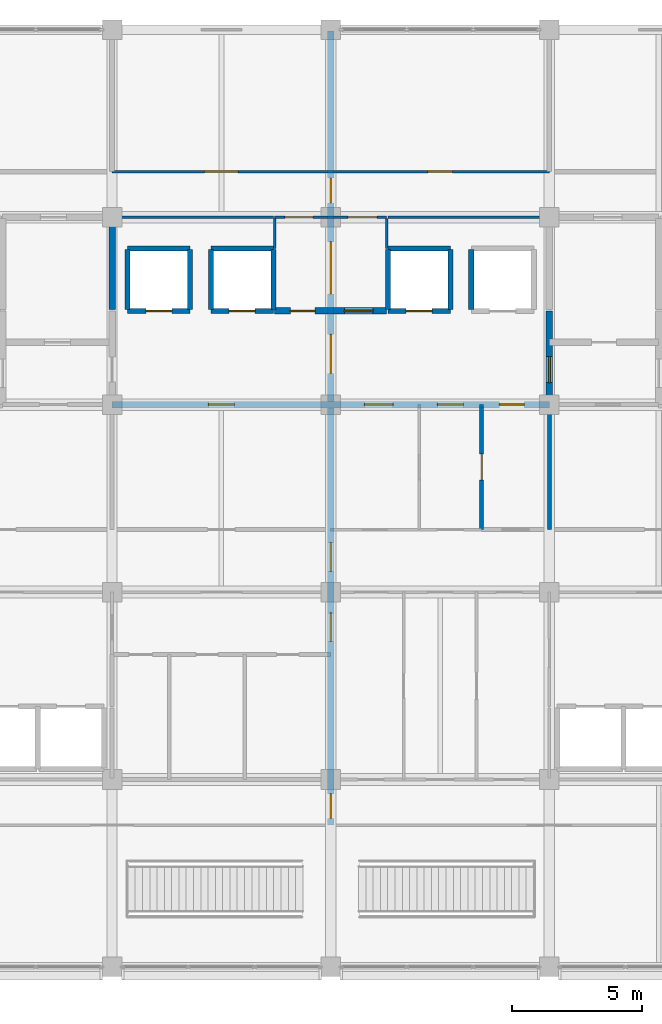
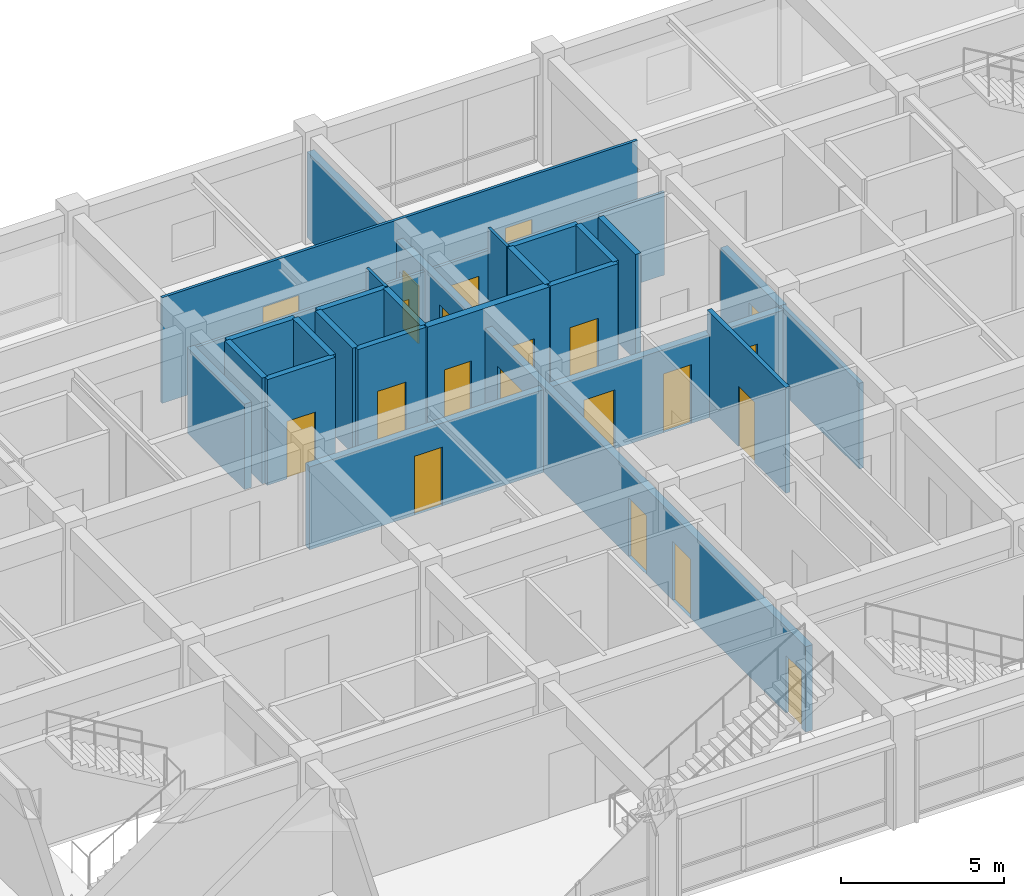
# One storey, part 19 of 27: 26 walls, 21 doors, 21 openings.
"""IFC4 building model written with IfcOpenShell, lengths in metres."""

from ifc_helpers import new_model, si_unit, direction, frame, frame_2d, origin, place, context, subcontext, project, spatial, rectangle, extrude, material, layer, layer_set, type_object, element, fill, save


model = new_model("IFC4")

# Units and contexts
model_context = context("Model", 3, precision=1e-05, world=origin(), true_north=direction((0.0, 1.0)))
body_context = subcontext(model_context, "Body", "Model", "MODEL_VIEW")
ifc_project = project(units=[si_unit("LENGTHUNIT", "METRE"), si_unit("AREAUNIT", "SQUARE_METRE"), si_unit("VOLUMEUNIT", "CUBIC_METRE"), si_unit("PLANEANGLEUNIT", "RADIAN"), si_unit("MASSUNIT", "GRAM", prefix="KILO")], contexts=[model_context])

# Site, building, storey
site_placement = place(None, origin())
site = spatial("IfcSite", under=ifc_project, at=site_placement, CompositionType="ELEMENT")
building_placement = place(site_placement, origin())
building = spatial("IfcBuilding", under=site, at=building_placement, Name="Chengyuan Square Courthouse", CompositionType="ELEMENT")
storey_placement = place(building_placement, frame((0.0, 0.0, 39.300048828125)))
storey = spatial("IfcBuildingStorey", under=building, at=storey_placement, Name="L09", CompositionType="ELEMENT", Elevation=39.300048828125)

# Wall, openings, doors
ifc_material_1 = material(Name="Concrete C40", Category="concrete")
ifc_layer_1 = layer(ifc_material_1, 0.25)
ifc_layer_set_1 = layer_set([ifc_layer_1], Name="Concrete C40")
wall_type_1 = type_object("IfcWallType", Name="WL-FW1", PredefinedType="STANDARD", material=ifc_layer_set_1)
wall_1_placement = place(storey_placement, frame((75.60009765625, 100.800048828125, 0.0), z_axis=(0.0, 0.0, 1.0), x_axis=(1.0, 0.0, 0.0)))
wall_1 = element("IfcWall", 1, at=wall_1_placement, inside=storey, type_object=wall_type_1, Name="Interior Wall WL-L09-I3133", PredefinedType="STANDARD", context=body_context, shape_type="SweptSolid", body=[
    extrude(rectangle(XDim=16.7998046875, YDim=0.25, at=frame_2d((8.39990234375, 0.0))), origin(), (0.0, 0.0, 1.0), 3.099853515625),
])
opening_1_placement = place(wall_1_placement, frame((3.699951171875, 0.0, 0.0)))
opening_1 = element("IfcOpeningElement", 2, at=opening_1_placement, cuts=wall_1, Name="Opening DR-2674", PredefinedType="OPENING", context=body_context, shape_type="SweptSolid", body=[
    extrude(rectangle(XDim=1.0, YDim=2.199951171875, at=frame_2d((0.5, 1.10009765625))), frame((0.0, 0.136962890625, 0.0), z_axis=(0.0, -1.0, 0.0), x_axis=(1.0, 0.0, 0.0)), (0.0, 0.0, 1.0), 0.27392578125),
])
opening_2_placement = place(wall_1_placement, frame((9.697509765625, 0.0, 0.0)))
opening_2 = element("IfcOpeningElement", 3, at=opening_2_placement, cuts=wall_1, Name="Opening DR-2676", PredefinedType="OPENING", context=body_context, shape_type="SweptSolid", body=[
    extrude(rectangle(XDim=1.10009765625, YDim=2.199951171875, at=frame_2d((0.550048828125, 1.10009765625))), frame((0.0, 0.136962890625, 0.0), z_axis=(0.0, -1.0, 0.0), x_axis=(1.0, 0.0, 0.0)), (0.0, 0.0, 1.0), 0.27392578125),
])
opening_3_placement = place(wall_1_placement, frame((12.5, 0.0, 0.0)))
opening_3 = element("IfcOpeningElement", 4, at=opening_3_placement, cuts=wall_1, Name="Opening DR-2677", PredefinedType="OPENING", context=body_context, shape_type="SweptSolid", body=[
    extrude(rectangle(XDim=1.0, YDim=2.199951171875, at=frame_2d((0.5, 1.10009765625))), frame((0.0, 0.136962890625, 0.0), z_axis=(0.0, -1.0, 0.0), x_axis=(1.0, 0.0, 0.0)), (0.0, 0.0, 1.0), 0.27392578125),
])
opening_4_placement = place(wall_1_placement, frame((14.87744140625, 0.0, 0.0)))
opening_4 = element("IfcOpeningElement", 5, at=opening_4_placement, cuts=wall_1, Name="Opening DR-2678", PredefinedType="OPENING", context=body_context, shape_type="SweptSolid", body=[
    extrude(rectangle(XDim=0.949951171875, YDim=2.14990234375, at=frame_2d((0.47509765625, 1.074951171875))), frame((0.0, 0.136962890625, 0.0), z_axis=(0.0, -1.0, 0.0), x_axis=(1.0, 0.0, 0.0)), (0.0, 0.0, 1.0), 0.27392578125),
])
ifc_material_2 = material(Name="Steel Q235B Fire Door", Category="steel")
door_type_1 = type_object("IfcDoorType", Name="DT-10", OperationType="NOTDEFINED", PredefinedType="DOOR", material=ifc_material_2)
door_1_placement = place(opening_2_placement, origin())
door_1 = element("IfcDoor", 6, at=door_1_placement, inside=storey, type_object=door_type_1, Name="Interior Door DR-2676", OperationType="SINGLE_SWING_RIGHT", OverallHeight=2.199951171875, OverallWidth=1.10009765625, PredefinedType="DOOR", context=body_context, shape_type="SweptSolid", body=[
    extrude(rectangle(XDim=1.10009765625, YDim=2.199951171875, at=frame_2d((0.550048828125, 1.10009765625))), frame((0.0, 0.02490234375, 0.0), z_axis=(0.0, -1.0, 0.0), x_axis=(1.0, 0.0, 0.0)), (0.0, 0.0, 1.0), 0.050048828125),
])
fill(opening_2, door_1)
door_type_2 = type_object("IfcDoorType", Name="DT-11", OperationType="NOTDEFINED", PredefinedType="DOOR", material=ifc_material_2)
door_2_placement = place(opening_1_placement, origin())
door_2 = element("IfcDoor", 7, at=door_2_placement, inside=storey, type_object=door_type_2, Name="Interior Door DR-2674", OperationType="SINGLE_SWING_RIGHT", OverallHeight=2.199951171875, OverallWidth=1.0, PredefinedType="DOOR", context=body_context, shape_type="SweptSolid", body=[
    extrude(rectangle(XDim=1.0, YDim=2.199951171875, at=frame_2d((0.5, 1.10009765625))), frame((0.0, 0.02490234375, 0.0), z_axis=(0.0, -1.0, 0.0), x_axis=(1.0, 0.0, 0.0)), (0.0, 0.0, 1.0), 0.050048828125),
])
fill(opening_1, door_2)
door_3_placement = place(opening_3_placement, origin())
door_3 = element("IfcDoor", 8, at=door_3_placement, inside=storey, type_object=door_type_2, Name="Interior Door DR-2677", OperationType="SINGLE_SWING_LEFT", OverallHeight=2.199951171875, OverallWidth=1.0, PredefinedType="DOOR", context=body_context, shape_type="SweptSolid", body=[
    extrude(rectangle(XDim=1.0, YDim=2.199951171875, at=frame_2d((0.5, 1.10009765625))), frame((0.0, 0.02490234375, 0.0), z_axis=(0.0, -1.0, 0.0), x_axis=(1.0, 0.0, 0.0)), (0.0, 0.0, 1.0), 0.050048828125),
])
fill(opening_3, door_3)
door_type_3 = type_object("IfcDoorType", Name="DT-12", OperationType="NOTDEFINED", PredefinedType="DOOR", material=ifc_material_2)
door_4_placement = place(opening_4_placement, origin())
door_4 = element("IfcDoor", 9, at=door_4_placement, inside=storey, type_object=door_type_3, Name="Interior Door DR-2678", OperationType="SINGLE_SWING_RIGHT", OverallHeight=2.14990234375, OverallWidth=0.949951171875, PredefinedType="DOOR", context=body_context, shape_type="SweptSolid", body=[
    extrude(rectangle(XDim=0.949951171875, YDim=2.14990234375, at=frame_2d((0.47509765625, 1.074951171875))), frame((0.0, 0.02490234375, 0.0), z_axis=(0.0, -1.0, 0.0), x_axis=(1.0, 0.0, 0.0)), (0.0, 0.0, 1.0), 0.050048828125),
])
fill(opening_4, door_4)

wall_2_placement = place(storey_placement, frame((81.85009765625, 104.39990234375, 0.0), z_axis=(0.0, 0.0, 1.0), x_axis=(1.0, 0.0, 0.0)))
wall_2 = element("IfcWall", 10, at=wall_2_placement, inside=storey, type_object=wall_type_1, Name="Interior Wall WL-L09-I3154", PredefinedType="STANDARD", context=body_context, shape_type="SweptSolid", body=[
    extrude(rectangle(XDim=4.2998046875, YDim=0.25, at=frame_2d((2.14990234375, 0.0))), origin(), (0.0, 0.0, 1.0), 3.949951171875),
])
opening_5_placement = place(wall_2_placement, frame((0.60009765625, 0.0, 0.0)))
opening_5 = element("IfcOpeningElement", 11, at=opening_5_placement, cuts=wall_2, Name="Opening DR-2675", PredefinedType="OPENING", context=body_context, shape_type="SweptSolid", body=[
    extrude(rectangle(XDim=0.949951171875, YDim=2.14990234375, at=frame_2d((0.47509765625, 1.074951171875))), frame((0.0, 0.136962890625, 0.0), z_axis=(0.0, -1.0, 0.0), x_axis=(1.0, 0.0, 0.0)), (0.0, 0.0, 1.0), 0.27392578125),
])
opening_6_placement = place(wall_2_placement, frame((2.675048828125, 0.0, 0.0)))
opening_6 = element("IfcOpeningElement", 12, at=opening_6_placement, cuts=wall_2, Name="Opening DR-2679", PredefinedType="OPENING", context=body_context, shape_type="SweptSolid", body=[
    extrude(rectangle(XDim=1.10009765625, YDim=2.199951171875, at=frame_2d((0.550048828125, 1.10009765625))), frame((0.0, 0.136962890625, 0.0), z_axis=(0.0, -1.0, 0.0), x_axis=(1.0, 0.0, 0.0)), (0.0, 0.0, 1.0), 0.27392578125),
])
door_5_placement = place(opening_6_placement, origin())
door_5 = element("IfcDoor", 13, at=door_5_placement, inside=storey, type_object=door_type_1, Name="Interior Door DR-2679", OperationType="SINGLE_SWING_LEFT", OverallHeight=2.199951171875, OverallWidth=1.10009765625, PredefinedType="DOOR", context=body_context, shape_type="SweptSolid", body=[
    extrude(rectangle(XDim=1.10009765625, YDim=2.199951171875, at=frame_2d((0.550048828125, 1.10009765625))), frame((0.0, 0.02490234375, 0.0), z_axis=(0.0, -1.0, 0.0), x_axis=(1.0, 0.0, 0.0)), (0.0, 0.0, 1.0), 0.050048828125),
])
fill(opening_6, door_5)
door_6_placement = place(opening_5_placement, origin())
door_6 = element("IfcDoor", 14, at=door_6_placement, inside=storey, type_object=door_type_3, Name="Interior Door DR-2675", OperationType="SINGLE_SWING_LEFT", OverallHeight=2.14990234375, OverallWidth=0.949951171875, PredefinedType="DOOR", context=body_context, shape_type="SweptSolid", body=[
    extrude(rectangle(XDim=0.949951171875, YDim=2.14990234375, at=frame_2d((0.47509765625, 1.074951171875))), frame((0.0, 0.02490234375, 0.0), z_axis=(0.0, -1.0, 0.0), x_axis=(1.0, 0.0, 0.0)), (0.0, 0.0, 1.0), 0.050048828125),
])
fill(opening_5, door_6)

# Wall
wall_3_placement = place(storey_placement, frame((75.60009765625, 104.449951171875, 0.0), z_axis=(0.0, 0.0, 1.0), x_axis=(0.0, 1.0, 0.0)))
element("IfcWall", 15, at=wall_3_placement, inside=storey, type_object=wall_type_1, Name="Interior Wall WL-L09-I3232", PredefinedType="STANDARD", context=body_context, shape_type="SweptSolid", body=[
    extrude(rectangle(XDim=3.5, YDim=0.25, at=frame_2d((1.75, 0.0))), origin(), (0.0, 0.0, 1.0), 3.199951171875),
])

# Wall, openings, doors
wall_4_placement = place(storey_placement, frame((84.0, 84.64990234375, 0.0), z_axis=(0.0, 0.0, 1.0), x_axis=(0.0, 1.0, 0.0)))
wall_4 = element("IfcWall", 16, at=wall_4_placement, inside=storey, type_object=wall_type_1, Name="Interior Wall WL-L09-I3241", PredefinedType="STANDARD", context=body_context, shape_type="SweptSolid", body=[
    extrude(rectangle(XDim=30.510009765625, YDim=0.25, at=frame_2d((15.2548828125, 0.0))), origin(), (0.0, 0.0, 1.0), 3.199951171875),
])
opening_7_placement = place(wall_4_placement, frame((17.347412109375, 0.0, 0.0)))
opening_7 = element("IfcOpeningElement", 17, at=opening_7_placement, cuts=wall_4, Name="Opening DR-2673", PredefinedType="OPENING", context=body_context, shape_type="SweptSolid", body=[
    extrude(rectangle(XDim=1.5, YDim=2.25, at=frame_2d((0.75, 1.125))), frame((0.0, 0.136962890625, 0.0), z_axis=(0.0, -1.0, 0.0), x_axis=(1.0, 0.0, 0.0)), (0.0, 0.0, 1.0), 0.27392578125),
])
opening_8_placement = place(wall_4_placement, frame((7.052490234375, 0.0, 0.0)))
opening_8 = element("IfcOpeningElement", 18, at=opening_8_placement, cuts=wall_4, Name="Opening DR-2700", PredefinedType="OPENING", context=body_context, shape_type="SweptSolid", body=[
    extrude(rectangle(XDim=1.10009765625, YDim=2.199951171875, at=frame_2d((0.550048828125, 1.10009765625))), frame((0.0, 0.136962890625, 0.0), z_axis=(0.0, -1.0, 0.0), x_axis=(1.0, 0.0, 0.0)), (0.0, 0.0, 1.0), 0.27392578125),
])
opening_9_placement = place(wall_4_placement, frame((9.74755859375, 0.0, 0.0)))
opening_9 = element("IfcOpeningElement", 19, at=opening_9_placement, cuts=wall_4, Name="Opening DR-2703", PredefinedType="OPENING", context=body_context, shape_type="SweptSolid", body=[
    extrude(rectangle(XDim=1.10009765625, YDim=2.199951171875, at=frame_2d((0.550048828125, 1.10009765625))), frame((0.0, 0.136962890625, 0.0), z_axis=(0.0, -1.0, 0.0), x_axis=(1.0, 0.0, 0.0)), (0.0, 0.0, 1.0), 0.27392578125),
])
opening_10_placement = place(wall_4_placement, frame((20.402587890625, 0.0, 0.0)))
opening_10 = element("IfcOpeningElement", 20, at=opening_10_placement, cuts=wall_4, Name="Opening DR-2750", PredefinedType="OPENING", context=body_context, shape_type="SweptSolid", body=[
    extrude(rectangle(XDim=2.0, YDim=2.39990234375, at=frame_2d((1.0, 1.199951171875))), frame((0.0, 0.136962890625, 0.0), z_axis=(0.0, -1.0, 0.0), x_axis=(1.0, 0.0, 0.0)), (0.0, 0.0, 1.0), 0.27392578125),
])
opening_11_placement = place(wall_4_placement, frame((23.8974609375, 0.0, 0.0)))
opening_11 = element("IfcOpeningElement", 21, at=opening_11_placement, cuts=wall_4, Name="Opening DR-2753", PredefinedType="OPENING", context=body_context, shape_type="SweptSolid", body=[
    extrude(rectangle(XDim=0.949951171875, YDim=2.14990234375, at=frame_2d((0.47509765625, 1.074951171875))), frame((0.0, 0.136962890625, 0.0), z_axis=(0.0, -1.0, 0.0), x_axis=(1.0, 0.0, 0.0)), (0.0, 0.0, 1.0), 0.27392578125),
])
opening_12_placement = place(wall_4_placement, frame((0.25244140625, 0.0, 0.0)))
opening_12 = element("IfcOpeningElement", 22, at=opening_12_placement, cuts=wall_4, Name="Opening DR-2762", PredefinedType="OPENING", context=body_context, shape_type="SweptSolid", body=[
    extrude(rectangle(XDim=0.949951171875, YDim=2.14990234375, at=frame_2d((0.47509765625, 1.074951171875))), frame((0.0, 0.136962890625, 0.0), z_axis=(0.0, -1.0, 0.0), x_axis=(1.0, 0.0, 0.0)), (0.0, 0.0, 1.0), 0.27392578125),
])
door_7_placement = place(opening_8_placement, origin())
door_7 = element("IfcDoor", 23, at=door_7_placement, inside=storey, type_object=door_type_1, Name="Interior Door DR-2700", OperationType="SINGLE_SWING_LEFT", OverallHeight=2.199951171875, OverallWidth=1.10009765625, PredefinedType="DOOR", context=body_context, shape_type="SweptSolid", body=[
    extrude(rectangle(XDim=1.10009765625, YDim=2.199951171875, at=frame_2d((0.550048828125, 1.10009765625))), frame((0.0, 0.02490234375, 0.0), z_axis=(0.0, -1.0, 0.0), x_axis=(1.0, 0.0, 0.0)), (0.0, 0.0, 1.0), 0.050048828125),
])
fill(opening_8, door_7)
door_8_placement = place(opening_9_placement, origin())
door_8 = element("IfcDoor", 24, at=door_8_placement, inside=storey, type_object=door_type_1, Name="Interior Door DR-2703", OperationType="SINGLE_SWING_RIGHT", OverallHeight=2.199951171875, OverallWidth=1.10009765625, PredefinedType="DOOR", context=body_context, shape_type="SweptSolid", body=[
    extrude(rectangle(XDim=1.10009765625, YDim=2.199951171875, at=frame_2d((0.550048828125, 1.10009765625))), frame((0.0, 0.02490234375, 0.0), z_axis=(0.0, -1.0, 0.0), x_axis=(1.0, 0.0, 0.0)), (0.0, 0.0, 1.0), 0.050048828125),
])
fill(opening_9, door_8)
door_9_placement = place(opening_11_placement, origin())
door_9 = element("IfcDoor", 25, at=door_9_placement, inside=storey, type_object=door_type_3, Name="Interior Door DR-2753", OperationType="SINGLE_SWING_LEFT", OverallHeight=2.14990234375, OverallWidth=0.949951171875, PredefinedType="DOOR", context=body_context, shape_type="SweptSolid", body=[
    extrude(rectangle(XDim=0.949951171875, YDim=2.14990234375, at=frame_2d((0.47509765625, 1.074951171875))), frame((0.0, 0.02490234375, 0.0), z_axis=(0.0, -1.0, 0.0), x_axis=(1.0, 0.0, 0.0)), (0.0, 0.0, 1.0), 0.050048828125),
])
fill(opening_11, door_9)
door_10_placement = place(opening_12_placement, origin())
door_10 = element("IfcDoor", 26, at=door_10_placement, inside=storey, type_object=door_type_3, Name="Interior Door DR-2762", OperationType="SINGLE_SWING_LEFT", OverallHeight=2.14990234375, OverallWidth=0.949951171875, PredefinedType="DOOR", context=body_context, shape_type="SweptSolid", body=[
    extrude(rectangle(XDim=0.949951171875, YDim=2.14990234375, at=frame_2d((0.47509765625, 1.074951171875))), frame((0.0, 0.02490234375, 0.0), z_axis=(0.0, -1.0, 0.0), x_axis=(1.0, 0.0, 0.0)), (0.0, 0.0, 1.0), 0.050048828125),
])
fill(opening_12, door_10)
ifc_material_3 = material(Name="Steel Q235B Glazed Fire Door", Category="steel")
door_type_4 = type_object("IfcDoorType", Name="DT-19", OperationType="DOUBLE_DOOR_SINGLE_SWING", PredefinedType="DOOR", material=ifc_material_3)
door_11_placement = place(opening_7_placement, frame((1.5, 0.0, 0.0), z_axis=(0.0, 0.0, 1.0), x_axis=(-1.0, 0.0, 0.0)))
door_11 = element("IfcDoor", 27, at=door_11_placement, inside=storey, type_object=door_type_4, Name="Interior Door DR-2673", OperationType="DOUBLE_DOOR_SINGLE_SWING", OverallHeight=2.25, OverallWidth=1.5, PredefinedType="DOOR", context=body_context, shape_type="SweptSolid", body=[
    extrude(rectangle(XDim=1.5, YDim=2.25, at=frame_2d((0.75, 1.125))), frame((0.0, 0.02490234375, 0.0), z_axis=(0.0, -1.0, 0.0), x_axis=(1.0, 0.0, 0.0)), (0.0, 0.0, 1.0), 0.050048828125),
])
fill(opening_7, door_11)
door_type_5 = type_object("IfcDoorType", Name="DT-20", OperationType="DOUBLE_DOOR_SINGLE_SWING", PredefinedType="DOOR", material=ifc_material_3)
door_12_placement = place(opening_10_placement, frame((2.0, 0.0, 0.0), z_axis=(0.0, 0.0, 1.0), x_axis=(-1.0, 0.0, 0.0)))
door_12 = element("IfcDoor", 28, at=door_12_placement, inside=storey, type_object=door_type_5, Name="Interior Door DR-2750", OperationType="DOUBLE_DOOR_SINGLE_SWING", OverallHeight=2.39990234375, OverallWidth=2.0, PredefinedType="DOOR", context=body_context, shape_type="SweptSolid", body=[
    extrude(rectangle(XDim=2.0, YDim=2.39990234375, at=frame_2d((1.0, 1.199951171875))), frame((0.0, 0.02490234375, 0.0), z_axis=(0.0, -1.0, 0.0), x_axis=(1.0, 0.0, 0.0)), (0.0, 0.0, 1.0), 0.050048828125),
])
fill(opening_10, door_12)

# Wall, opening, door
wall_5_placement = place(storey_placement, frame((92.39990234375, 100.800048828125, 0.0), z_axis=(0.0, 0.0, 1.0), x_axis=(0.0, 1.0, 0.0)))
wall_5 = element("IfcWall", 29, at=wall_5_placement, inside=storey, type_object=wall_type_1, Name="Interior Wall WL-L09-I3254", PredefinedType="STANDARD", context=body_context, shape_type="SweptSolid", body=[
    extrude(rectangle(XDim=3.599853515625, YDim=0.25, at=frame_2d((1.7998046875, 0.0))), origin(), (0.0, 0.0, 1.0), 3.199951171875),
])
opening_13_placement = place(wall_5_placement, frame((0.847412109375, 0.0, 0.0)))
opening_13 = element("IfcOpeningElement", 30, at=opening_13_placement, cuts=wall_5, Name="Opening DR-2662", PredefinedType="OPENING", context=body_context, shape_type="SweptSolid", body=[
    extrude(rectangle(XDim=1.0, YDim=2.199951171875, at=frame_2d((0.5, 1.10009765625))), frame((0.0, 0.136962890625, 0.0), z_axis=(0.0, -1.0, 0.0), x_axis=(1.0, 0.0, 0.0)), (0.0, 0.0, 1.0), 0.27392578125),
])
door_13_placement = place(opening_13_placement, origin())
door_13 = element("IfcDoor", 31, at=door_13_placement, inside=storey, type_object=door_type_2, Name="Interior Door DR-2662", OperationType="SINGLE_SWING_LEFT", OverallHeight=2.199951171875, OverallWidth=1.0, PredefinedType="DOOR", context=body_context, shape_type="SweptSolid", body=[
    extrude(rectangle(XDim=1.0, YDim=2.199951171875, at=frame_2d((0.5, 1.10009765625))), frame((0.0, 0.02490234375, 0.0), z_axis=(0.0, -1.0, 0.0), x_axis=(1.0, 0.0, 0.0)), (0.0, 0.0, 1.0), 0.050048828125),
])
fill(opening_13, door_13)

ifc_material_4 = material(Name="Deliberation Room Sound-Insulated Partition")
ifc_layer_2 = layer(ifc_material_4, 0.14990234375)
ifc_layer_set_2 = layer_set([ifc_layer_2], Name="Deliberation Room Sound-Insulated Partition")
wall_type_2 = type_object("IfcWallType", Name="WL-PT3", PredefinedType="STANDARD", material=ifc_layer_set_2)
wall_6_placement = place(storey_placement, frame((89.800048828125, 96.0, 0.0), z_axis=(0.0, 0.0, 1.0), x_axis=(0.0, 1.0, 0.0)))
wall_6 = element("IfcWall", 32, at=wall_6_placement, inside=storey, type_object=wall_type_2, Name="Interior Wall WL-L09-I3249", PredefinedType="STANDARD", context=body_context, shape_type="SweptSolid", body=[
    extrude(rectangle(XDim=4.800048828125, YDim=0.14990234375, at=frame_2d((2.39990234375, 0.0))), origin(), (0.0, 0.0, 1.0), 3.949951171875),
])
opening_14_placement = place(wall_6_placement, frame((1.89990234375, 0.0, 0.0)))
opening_14 = element("IfcOpeningElement", 33, at=opening_14_placement, cuts=wall_6, Name="Opening DR-2732", PredefinedType="OPENING", context=body_context, shape_type="SweptSolid", body=[
    extrude(rectangle(XDim=1.0, YDim=2.25, at=frame_2d((0.5, 1.125))), frame((0.0, 0.0869140625, 0.0), z_axis=(0.0, -1.0, 0.0), x_axis=(1.0, 0.0, 0.0)), (0.0, 0.0, 1.0), 0.173828125),
])
ifc_material_5 = material(Name="Acoustic Solid-Core Timber Door", Category="wood")
door_type_6 = type_object("IfcDoorType", Name="DT-31", OperationType="NOTDEFINED", PredefinedType="DOOR", material=ifc_material_5)
door_14_placement = place(opening_14_placement, origin())
door_14 = element("IfcDoor", 34, at=door_14_placement, inside=storey, type_object=door_type_6, Name="Interior Door DR-2732", OperationType="SINGLE_SWING_LEFT", OverallHeight=2.25, OverallWidth=1.0, PredefinedType="DOOR", context=body_context, shape_type="SweptSolid", body=[
    extrude(rectangle(XDim=1.0, YDim=2.25, at=frame_2d((0.5, 1.125))), frame((0.0, 0.02490234375, 0.0), z_axis=(0.0, -1.0, 0.0), x_axis=(1.0, 0.0, 0.0)), (0.0, 0.0, 1.0), 0.050048828125),
])
fill(opening_14, door_14)

# Walls
wall_7_placement = place(storey_placement, frame((92.39990234375, 96.0, 0.0), z_axis=(0.0, 0.0, 1.0), x_axis=(0.0, 1.0, 0.0)))
element("IfcWall", 35, at=wall_7_placement, inside=storey, type_object=wall_type_2, Name="Interior Wall WL-L09-I3253", PredefinedType="STANDARD", context=body_context, shape_type="SweptSolid", body=[
    extrude(rectangle(XDim=4.800048828125, YDim=0.14990234375, at=frame_2d((2.39990234375, 0.0))), origin(), (0.0, 0.0, 1.0), 3.199951171875),
])
ifc_material_6 = material(Name="Gypsum Plasterboard Acoustic Stud Partition")
ifc_layer_3 = layer(ifc_material_6, 0.10009765625)
ifc_layer_set_3 = layer_set([ifc_layer_3], Name="Gypsum Plasterboard Acoustic Stud Partition")
wall_type_3 = type_object("IfcWallType", Name="WL-PT6", PredefinedType="STANDARD", material=ifc_layer_set_3)
wall_8_placement = place(storey_placement, frame((75.64990234375, 108.0, 0.0), z_axis=(0.0, 0.0, 1.0), x_axis=(1.0, 0.0, 0.0)))
element("IfcWall", 36, at=wall_8_placement, inside=storey, type_object=wall_type_3, Name="Interior Wall WL-L09-I3176", PredefinedType="STANDARD", context=body_context, shape_type="SweptSolid", body=[
    extrude(rectangle(XDim=6.150146484375, YDim=0.10009765625, at=frame_2d((3.0751953125, 0.0))), origin(), (0.0, 0.0, 1.0), 3.099853515625),
])

# Wall, openings, doors
wall_9_placement = place(storey_placement, frame((81.85009765625, 108.0, 0.0), z_axis=(0.0, 0.0, 1.0), x_axis=(1.0, 0.0, 0.0)))
wall_9 = element("IfcWall", 37, at=wall_9_placement, inside=storey, type_object=wall_type_3, Name="Interior Wall WL-L09-I3177", PredefinedType="STANDARD", context=body_context, shape_type="SweptSolid", body=[
    extrude(rectangle(XDim=4.2998046875, YDim=0.10009765625, at=frame_2d((2.14990234375, 0.0))), origin(), (0.0, 0.0, 1.0), 3.099853515625),
])
opening_15_placement = place(wall_9_placement, frame((0.387451171875, 0.0, 0.0)))
opening_15 = element("IfcOpeningElement", 38, at=opening_15_placement, cuts=wall_9, Name="Opening DR-2751", PredefinedType="OPENING", context=body_context, shape_type="SweptSolid", body=[
    extrude(rectangle(XDim=1.080078125, YDim=2.25, at=frame_2d((0.5400390625, 1.125))), frame((0.0, 0.06201171875, 0.0), z_axis=(0.0, -1.0, 0.0), x_axis=(1.0, 0.0, 0.0)), (0.0, 0.0, 1.0), 0.1240234375),
])
opening_16_placement = place(wall_9_placement, frame((2.8125, 0.0, 0.0)))
opening_16 = element("IfcOpeningElement", 39, at=opening_16_placement, cuts=wall_9, Name="Opening DR-2752", PredefinedType="OPENING", context=body_context, shape_type="SweptSolid", body=[
    extrude(rectangle(XDim=1.1201171875, YDim=2.25, at=frame_2d((0.56005859375, 1.125))), frame((0.0, 0.06201171875, 0.0), z_axis=(0.0, -1.0, 0.0), x_axis=(1.0, 0.0, 0.0)), (0.0, 0.0, 1.0), 0.1240234375),
])
door_type_7 = type_object("IfcDoorType", Name="DT-33", OperationType="NOTDEFINED", PredefinedType="DOOR", material=ifc_material_5)
door_15_placement = place(opening_15_placement, origin())
door_15 = element("IfcDoor", 40, at=door_15_placement, inside=storey, type_object=door_type_7, Name="Interior Door DR-2751", OperationType="SINGLE_SWING_LEFT", OverallHeight=2.25, OverallWidth=1.080078125, PredefinedType="DOOR", context=body_context, shape_type="SweptSolid", body=[
    extrude(rectangle(XDim=1.080078125, YDim=2.25, at=frame_2d((0.5400390625, 1.125))), frame((0.0, 0.02490234375, 0.0), z_axis=(0.0, -1.0, 0.0), x_axis=(1.0, 0.0, 0.0)), (0.0, 0.0, 1.0), 0.050048828125),
])
fill(opening_15, door_15)
door_type_8 = type_object("IfcDoorType", Name="DT-34", OperationType="NOTDEFINED", PredefinedType="DOOR", material=ifc_material_5)
door_16_placement = place(opening_16_placement, origin())
door_16 = element("IfcDoor", 41, at=door_16_placement, inside=storey, type_object=door_type_8, Name="Interior Door DR-2752", OperationType="SINGLE_SWING_RIGHT", OverallHeight=2.25, OverallWidth=1.1201171875, PredefinedType="DOOR", context=body_context, shape_type="SweptSolid", body=[
    extrude(rectangle(XDim=1.1201171875, YDim=2.25, at=frame_2d((0.56005859375, 1.125))), frame((0.0, 0.02490234375, 0.0), z_axis=(0.0, -1.0, 0.0), x_axis=(1.0, 0.0, 0.0)), (0.0, 0.0, 1.0), 0.050048828125),
])
fill(opening_16, door_16)

# Wall
wall_10_placement = place(storey_placement, frame((86.199951171875, 108.0, 0.0), z_axis=(0.0, 0.0, 1.0), x_axis=(1.0, 0.0, 0.0)))
element("IfcWall", 42, at=wall_10_placement, inside=storey, type_object=wall_type_3, Name="Interior Wall WL-L09-I3178", PredefinedType="STANDARD", context=body_context, shape_type="SweptSolid", body=[
    extrude(rectangle(XDim=6.150146484375, YDim=0.10009765625, at=frame_2d((3.0751953125, 0.0))), origin(), (0.0, 0.0, 1.0), 3.099853515625),
])

# Wall, openings, doors
wall_11_placement = place(storey_placement, frame((75.60009765625, 109.75, 0.0), z_axis=(0.0, 0.0, 1.0), x_axis=(1.0, 0.0, 0.0)))
wall_11 = element("IfcWall", 43, at=wall_11_placement, inside=storey, type_object=wall_type_3, Name="Interior Wall WL-L09-I3186", PredefinedType="STANDARD", context=body_context, shape_type="SweptSolid", body=[
    extrude(rectangle(XDim=16.7998046875, YDim=0.10009765625, at=frame_2d((8.39990234375, 0.0))), origin(), (0.0, 0.0, 1.0), 3.949951171875),
])
opening_17_placement = place(wall_11_placement, frame((3.56005859375, 0.0, 0.0)))
opening_17 = element("IfcOpeningElement", 44, at=opening_17_placement, cuts=wall_11, Name="Opening DR-2756", PredefinedType="OPENING", context=body_context, shape_type="SweptSolid", body=[
    extrude(rectangle(XDim=1.280029296875, YDim=2.35009765625, at=frame_2d((0.64013671875, 1.175048828125))), frame((0.0, 0.06201171875, 0.0), z_axis=(0.0, -1.0, 0.0), x_axis=(1.0, 0.0, 0.0)), (0.0, 0.0, 1.0), 0.1240234375),
])
opening_18_placement = place(wall_11_placement, frame((12.1298828125, 0.0, 0.0)))
opening_18 = element("IfcOpeningElement", 45, at=opening_18_placement, cuts=wall_11, Name="Opening DR-2757", PredefinedType="OPENING", context=body_context, shape_type="SweptSolid", body=[
    extrude(rectangle(XDim=0.93994140625, YDim=2.300048828125, at=frame_2d((0.469970703125, 1.14990234375))), frame((0.0, 0.06201171875, 0.0), z_axis=(0.0, -1.0, 0.0), x_axis=(1.0, 0.0, 0.0)), (0.0, 0.0, 1.0), 0.1240234375),
])
door_type_9 = type_object("IfcDoorType", Name="DT-38", OperationType="NOTDEFINED", PredefinedType="DOOR", material=ifc_material_5)
door_17_placement = place(opening_17_placement, origin())
door_17 = element("IfcDoor", 46, at=door_17_placement, inside=storey, type_object=door_type_9, Name="Interior Door DR-2756", OperationType="SINGLE_SWING_LEFT", OverallHeight=2.35009765625, OverallWidth=1.280029296875, PredefinedType="DOOR", context=body_context, shape_type="SweptSolid", body=[
    extrude(rectangle(XDim=1.280029296875, YDim=2.35009765625, at=frame_2d((0.64013671875, 1.175048828125))), frame((0.0, 0.02490234375, 0.0), z_axis=(0.0, -1.0, 0.0), x_axis=(1.0, 0.0, 0.0)), (0.0, 0.0, 1.0), 0.050048828125),
])
fill(opening_17, door_17)
door_type_10 = type_object("IfcDoorType", Name="DT-39", OperationType="NOTDEFINED", PredefinedType="DOOR", material=ifc_material_5)
door_18_placement = place(opening_18_placement, origin())
door_18 = element("IfcDoor", 47, at=door_18_placement, inside=storey, type_object=door_type_10, Name="Interior Door DR-2757", OperationType="SINGLE_SWING_RIGHT", OverallHeight=2.300048828125, OverallWidth=0.93994140625, PredefinedType="DOOR", context=body_context, shape_type="SweptSolid", body=[
    extrude(rectangle(XDim=0.93994140625, YDim=2.300048828125, at=frame_2d((0.469970703125, 1.14990234375))), frame((0.0, 0.02490234375, 0.0), z_axis=(0.0, -1.0, 0.0), x_axis=(1.0, 0.0, 0.0)), (0.0, 0.0, 1.0), 0.050048828125),
])
fill(opening_18, door_18)

# Walls
for number, where, z_axis, x_axis, name in (
    (48, (81.85009765625, 106.800048828125, 0.0), (0.0, 0.0, 1.0), (0.0, 1.0, 0.0), "Interior Wall WL-L09-I3240"),
    (49, (86.14990234375, 106.800048828125, 0.0), (0.0, 0.0, 1.0), (0.0, 1.0, 0.0), "Interior Wall WL-L09-I3242"),
):
    element("IfcWall", number, at=place(storey_placement, frame(where, z_axis=z_axis, x_axis=x_axis)), inside=storey, type_object=wall_type_3, Name=name, PredefinedType="STANDARD", context=body_context, shape_type="SweptSolid", body=[
        extrude(rectangle(XDim=1.14990234375, YDim=0.10009765625, at=frame_2d((0.574951171875, 0.0))), origin(), (0.0, 0.0, 1.0), 3.949951171875),
    ])

# Wall, opening, door
ifc_material_7 = material(Name="Reinforced Masonry Shaft Enclosure", Category="masonry")
ifc_layer_4 = layer(ifc_material_7, 0.199951171875)
ifc_layer_set_4 = layer_set([ifc_layer_4], Name="Reinforced Masonry Shaft Enclosure")
wall_type_4 = type_object("IfcWallType", Name="WL-SH1", PredefinedType="STANDARD", material=ifc_layer_set_4)
wall_12_placement = place(storey_placement, frame((76.199951171875, 104.39990234375, 0.0), z_axis=(0.0, 0.0, 1.0), x_axis=(1.0, 0.0, 0.0)))
wall_12 = element("IfcWall", 50, at=wall_12_placement, inside=storey, type_object=wall_type_4, Name="Interior Wall WL-L09-I3152", PredefinedType="STANDARD", context=body_context, shape_type="SweptSolid", body=[
    extrude(rectangle(XDim=2.400146484375, YDim=0.199951171875, at=frame_2d((1.2001953125, 0.0))), origin(), (0.0, 0.0, 1.0), 3.949951171875),
])
opening_19_placement = place(wall_12_placement, frame((0.699951171875, 0.0, 0.0)))
opening_19 = element("IfcOpeningElement", 51, at=opening_19_placement, cuts=wall_12, Name="Opening LD-153", PredefinedType="OPENING", context=body_context, shape_type="SweptSolid", body=[
    extrude(rectangle(XDim=1.0, YDim=2.14990234375, at=frame_2d((0.5, 1.074951171875))), frame((0.0, 0.112060546875, 0.0), z_axis=(0.0, -1.0, 0.0), x_axis=(1.0, 0.0, 0.0)), (0.0, 0.0, 1.0), 0.223876953125),
])
ifc_material_8 = material(Name="Stainless Steel S30408 Lift Landing Door", Category="steel")
door_type_11 = type_object("IfcDoorType", Name="DT-07", OperationType="DOUBLE_DOOR_SLIDING", PredefinedType="DOOR", material=ifc_material_8)
door_19_placement = place(opening_19_placement, origin())
door_19 = element("IfcDoor", 52, at=door_19_placement, inside=storey, type_object=door_type_11, Name="Lift Landing Door LF-J1 L09", OperationType="DOUBLE_DOOR_SLIDING", OverallHeight=2.14990234375, OverallWidth=1.0, PredefinedType="DOOR", context=body_context, shape_type="SweptSolid", body=[
    extrude(rectangle(XDim=1.0, YDim=2.14990234375, at=frame_2d((0.5, 1.074951171875))), frame((0.0, 0.02490234375, 0.0), z_axis=(0.0, -1.0, 0.0), x_axis=(1.0, 0.0, 0.0)), (0.0, 0.0, 1.0), 0.050048828125),
])
fill(opening_19, door_19)

wall_13_placement = place(storey_placement, frame((79.39990234375, 104.39990234375, 0.0), z_axis=(0.0, 0.0, 1.0), x_axis=(1.0, 0.0, 0.0)))
wall_13 = element("IfcWall", 53, at=wall_13_placement, inside=storey, type_object=wall_type_4, Name="Interior Wall WL-L09-I3153", PredefinedType="STANDARD", context=body_context, shape_type="SweptSolid", body=[
    extrude(rectangle(XDim=2.400146484375, YDim=0.199951171875, at=frame_2d((1.2001953125, 0.0))), origin(), (0.0, 0.0, 1.0), 3.949951171875),
])
opening_20_placement = place(wall_13_placement, frame((0.699951171875, 0.0, 0.0)))
opening_20 = element("IfcOpeningElement", 54, at=opening_20_placement, cuts=wall_13, Name="Opening LD-154", PredefinedType="OPENING", context=body_context, shape_type="SweptSolid", body=[
    extrude(rectangle(XDim=1.0, YDim=2.14990234375, at=frame_2d((0.5, 1.074951171875))), frame((0.0, 0.112060546875, 0.0), z_axis=(0.0, -1.0, 0.0), x_axis=(1.0, 0.0, 0.0)), (0.0, 0.0, 1.0), 0.223876953125),
])
door_20_placement = place(opening_20_placement, origin())
door_20 = element("IfcDoor", 55, at=door_20_placement, inside=storey, type_object=door_type_11, Name="Lift Landing Door LF-J2 L09", OperationType="DOUBLE_DOOR_SLIDING", OverallHeight=2.14990234375, OverallWidth=1.0, PredefinedType="DOOR", context=body_context, shape_type="SweptSolid", body=[
    extrude(rectangle(XDim=1.0, YDim=2.14990234375, at=frame_2d((0.5, 1.074951171875))), frame((0.0, 0.02490234375, 0.0), z_axis=(0.0, -1.0, 0.0), x_axis=(1.0, 0.0, 0.0)), (0.0, 0.0, 1.0), 0.050048828125),
])
fill(opening_20, door_20)

wall_14_placement = place(storey_placement, frame((86.199951171875, 104.39990234375, 0.0), z_axis=(0.0, 0.0, 1.0), x_axis=(1.0, 0.0, 0.0)))
wall_14 = element("IfcWall", 56, at=wall_14_placement, inside=storey, type_object=wall_type_4, Name="Interior Wall WL-L09-I3155", PredefinedType="STANDARD", context=body_context, shape_type="SweptSolid", body=[
    extrude(rectangle(XDim=2.400146484375, YDim=0.199951171875, at=frame_2d((1.2001953125, 0.0))), origin(), (0.0, 0.0, 1.0), 3.949951171875),
])
opening_21_placement = place(wall_14_placement, frame((0.699951171875, 0.0, 0.0)))
opening_21 = element("IfcOpeningElement", 57, at=opening_21_placement, cuts=wall_14, Name="Opening LD-155", PredefinedType="OPENING", context=body_context, shape_type="SweptSolid", body=[
    extrude(rectangle(XDim=1.0, YDim=2.14990234375, at=frame_2d((0.5, 1.074951171875))), frame((0.0, 0.112060546875, 0.0), z_axis=(0.0, -1.0, 0.0), x_axis=(1.0, 0.0, 0.0)), (0.0, 0.0, 1.0), 0.223876953125),
])
door_21_placement = place(opening_21_placement, origin())
door_21 = element("IfcDoor", 58, at=door_21_placement, inside=storey, type_object=door_type_11, Name="Lift Landing Door LF-J3 L09", OperationType="DOUBLE_DOOR_SLIDING", OverallHeight=2.14990234375, OverallWidth=1.0, PredefinedType="DOOR", context=body_context, shape_type="SweptSolid", body=[
    extrude(rectangle(XDim=1.0, YDim=2.14990234375, at=frame_2d((0.5, 1.074951171875))), frame((0.0, 0.02490234375, 0.0), z_axis=(0.0, -1.0, 0.0), x_axis=(1.0, 0.0, 0.0)), (0.0, 0.0, 1.0), 0.050048828125),
])
fill(opening_21, door_21)

# Walls
for number, where, z_axis, x_axis, name in (
    (59, (76.199951171875, 106.800048828125, 0.0), (0.0, 0.0, 1.0), (1.0, 0.0, 0.0), "Interior Wall WL-L09-I3164"),
    (60, (79.39990234375, 106.800048828125, 0.0), (0.0, 0.0, 1.0), (1.0, 0.0, 0.0), "Interior Wall WL-L09-I3165"),
    (61, (86.199951171875, 106.800048828125, 0.0), (0.0, 0.0, 1.0), (1.0, 0.0, 0.0), "Interior Wall WL-L09-I3166"),
):
    element("IfcWall", number, at=place(storey_placement, frame(where, z_axis=z_axis, x_axis=x_axis)), inside=storey, type_object=wall_type_4, Name=name, PredefinedType="STANDARD", context=body_context, shape_type="SweptSolid", body=[
        extrude(rectangle(XDim=2.400146484375, YDim=0.199951171875, at=frame_2d((1.2001953125, 0.0))), origin(), (0.0, 0.0, 1.0), 3.949951171875),
    ])
for number, where, z_axis, x_axis, name in (
    (62, (76.199951171875, 104.449951171875, 0.0), (0.0, 0.0, 1.0), (0.0, 1.0, 0.0), "Interior Wall WL-L09-I3234"),
    (63, (78.60009765625, 104.449951171875, 0.0), (0.0, 0.0, 1.0), (0.0, 1.0, 0.0), "Interior Wall WL-L09-I3236"),
    (64, (79.39990234375, 104.449951171875, 0.0), (0.0, 0.0, 1.0), (0.0, 1.0, 0.0), "Interior Wall WL-L09-I3237"),
    (65, (81.800048828125, 104.449951171875, 0.0), (0.0, 0.0, 1.0), (0.0, 1.0, 0.0), "Interior Wall WL-L09-I3239"),
    (66, (86.199951171875, 104.449951171875, 0.0), (0.0, 0.0, 1.0), (0.0, 1.0, 0.0), "Interior Wall WL-L09-I3243"),
    (67, (88.60009765625, 104.449951171875, 0.0), (0.0, 0.0, 1.0), (0.0, 1.0, 0.0), "Interior Wall WL-L09-I3246"),
    (68, (89.39990234375, 104.449951171875, 0.0), (0.0, 0.0, 1.0), (0.0, 1.0, 0.0), "Interior Wall WL-L09-I3247"),
):
    element("IfcWall", number, at=place(storey_placement, frame(where, z_axis=z_axis, x_axis=x_axis)), inside=storey, type_object=wall_type_4, Name=name, PredefinedType="STANDARD", context=body_context, shape_type="SweptSolid", body=[
        extrude(rectangle(XDim=2.300048828125, YDim=0.199951171875, at=frame_2d((1.14990234375, 0.0))), origin(), (0.0, 0.0, 1.0), 3.949951171875),
    ])

save(model, "model.ifc")
